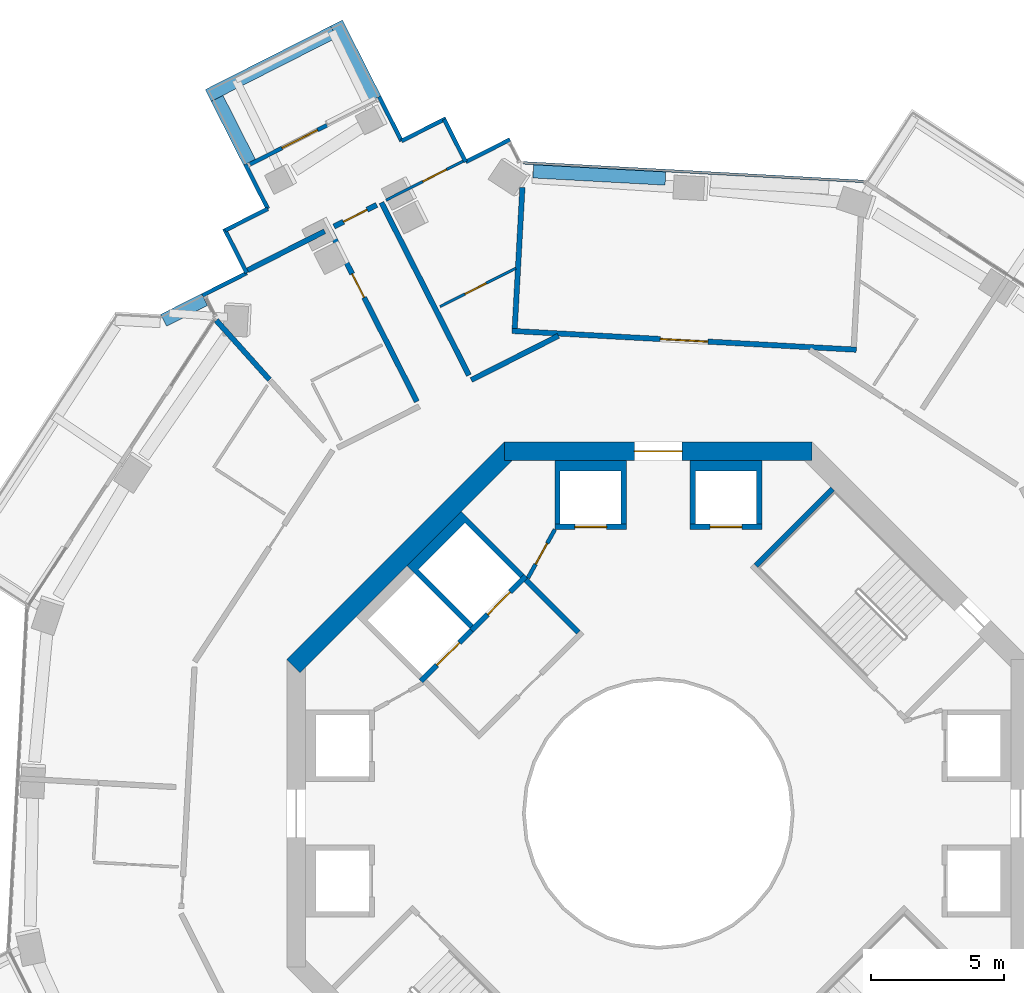
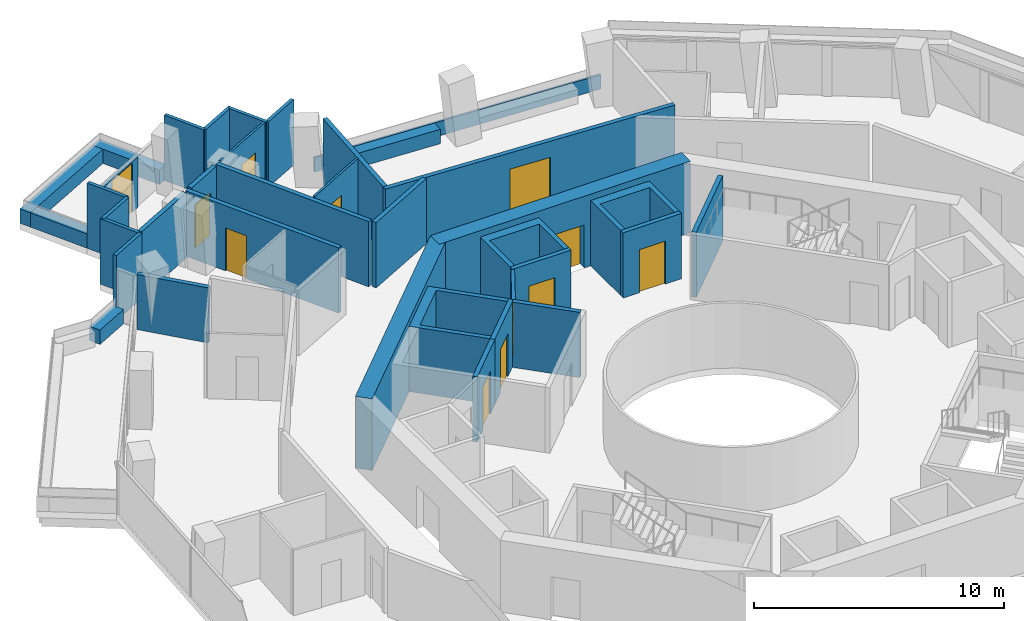
# One storey, part 19 of 23: 37 walls, 12 doors, 12 openings.
"""IFC4 building model written with IfcOpenShell, lengths in metres."""

from ifc_helpers import new_model, si_unit, direction, frame, frame_2d, origin, place, context, subcontext, project, spatial, polyline, rectangle, outline, extrude, material, layer, layer_set, type_object, element, fill, save


model = new_model("IFC4")

# Units and contexts
model_context = context("Model", 3, precision=1e-05, world=origin(), true_north=direction((0.0, 1.0)))
body_context = subcontext(model_context, "Body", "Model", "MODEL_VIEW")
ifc_project = project(units=[si_unit("LENGTHUNIT", "METRE"), si_unit("AREAUNIT", "SQUARE_METRE"), si_unit("VOLUMEUNIT", "CUBIC_METRE"), si_unit("PLANEANGLEUNIT", "RADIAN"), si_unit("MASSUNIT", "GRAM", prefix="KILO")], contexts=[model_context])

# Site, building, storey
site_placement = place(None, origin())
site = spatial("IfcSite", under=ifc_project, at=site_placement, CompositionType="ELEMENT")
building_placement = place(site_placement, origin())
building = spatial("IfcBuilding", under=site, at=building_placement, Name="Verdalira Terraces Hotel", CompositionType="ELEMENT")
storey_placement = place(building_placement, frame((0.0, 0.0, 143.5)))
storey = spatial("IfcBuildingStorey", under=building, at=storey_placement, Name="L34", CompositionType="ELEMENT", Elevation=143.5)

# Walls
ifc_material_1 = material(Name="Concrete C40", Category="concrete")
ifc_layer_1 = layer(ifc_material_1, 0.5)
ifc_layer_set_1 = layer_set([ifc_layer_1], Name="Balcony planter trough with tree")
wall_type_1 = type_object("IfcWallType", Name="Balcony planter trough with tree", PredefinedType="SOLIDWALL", material=ifc_layer_set_1)
wall_1_placement = place(storey_placement, frame((-10.684326, 26.939453, 0.0), z_axis=(0.0, 0.0, 1.0), x_axis=(-0.452121875, 0.89195617, 0.0)))
element("IfcWall", 1, at=wall_1_placement, inside=storey, type_object=wall_type_1, Name="Balcony planter", PredefinedType="SOLIDWALL", context=body_context, shape_type="SweptSolid", body=[
    extrude(rectangle(XDim=3.198975, YDim=0.5, at=frame_2d((1.599609, 0.0))), origin(), (0.0, 0.0, 1.0), 0.699951),
])
wall_2_placement = place(storey_placement, frame((-12.240479, 29.456787, 0.0), z_axis=(0.0, 0.0, 1.0), x_axis=(-0.891963213, -0.452107981, 0.0)))
element("IfcWall", 2, at=wall_2_placement, inside=storey, type_object=wall_type_1, Name="Balcony planter", PredefinedType="SOLIDWALL", context=body_context, shape_type="SweptSolid", body=[
    extrude(rectangle(XDim=5.300049, YDim=0.5, at=frame_2d((2.649902, 0.0))), origin(), (0.0, 0.0, 1.0), 0.699951),
])
wall_3_placement = place(storey_placement, frame((-16.631836, 26.950439, 0.0), z_axis=(0.0, 0.0, 1.0), x_axis=(0.452127947, -0.891953093, 0.0)))
element("IfcWall", 3, at=wall_3_placement, inside=storey, type_object=wall_type_1, Name="Balcony planter", PredefinedType="SOLIDWALL", context=body_context, shape_type="SweptSolid", body=[
    extrude(rectangle(XDim=2.69873, YDim=0.5, at=frame_2d((1.349365, 0.0))), origin(), (0.0, 0.0, 1.0), 0.699951),
])
wall_4_placement = place(storey_placement, frame((-17.105469, 19.366943, 0.0), z_axis=(0.0, 0.0, 1.0), x_axis=(-0.891988003, -0.452059069, 0.0)))
element("IfcWall", 4, at=wall_4_placement, inside=storey, type_object=wall_type_1, Name="Balcony planter", PredefinedType="SOLIDWALL", context=body_context, shape_type="SweptSolid", body=[
    extrude(rectangle(XDim=1.730957, YDim=0.5, at=frame_2d((0.865479, 0.0))), origin(), (0.0, 0.0, 1.0), 0.699951),
])

# Wall, opening, door
ifc_material_2 = material(Name="Moisture-resistant gypsum board partition")
ifc_layer_2 = layer(ifc_material_2, 0.10009765625)
ifc_layer_set_2 = layer_set([ifc_layer_2], Name="Bathroom partition 100 mm")
wall_type_2 = type_object("IfcWallType", Name="Bathroom partition 100 mm", PredefinedType="PARTITIONING", material=ifc_layer_set_2)
wall_5_placement = place(storey_placement, frame((-7.359619, 24.587402, 0.0), z_axis=(0.0, 0.0, 1.0), x_axis=(-0.891966351, -0.45210179, 0.0)))
wall_5 = element("IfcWall", 5, at=wall_5_placement, inside=storey, type_object=wall_type_2, Name="Bathroom partition", PredefinedType="PARTITIONING", context=body_context, shape_type="SweptSolid", body=[
    extrude(rectangle(XDim=3.251953, YDim=0.100098, at=frame_2d((1.625977, 0.0))), origin(), (0.0, 0.0, 1.0), 3.189941),
])
opening_1_placement = place(wall_5_placement, frame((0.699951, 0.0, 0.0)))
opening_1 = element("IfcOpeningElement", 6, at=opening_1_placement, cuts=wall_5, Name="Opening L34-102", PredefinedType="OPENING", context=body_context, shape_type="SweptSolid", body=[
    extrude(rectangle(XDim=1.0, YDim=2.100098, at=frame_2d((0.5, 1.050049))), frame((0.0, 0.060059, 0.0), z_axis=(0.0, -1.0, 0.0), x_axis=(1.0, 0.0, 0.0)), (0.0, 0.0, 1.0), 0.120117),
])
ifc_material_3 = material(Name="Timber door", Category="wood")
door_type_1 = type_object("IfcDoorType", Name="Suite internal door 1000 x 2100", OperationType="NOTDEFINED", PredefinedType="DOOR", material=ifc_material_3)
door_1_placement = place(opening_1_placement, origin())
door_1 = element("IfcDoor", 7, at=door_1_placement, inside=storey, type_object=door_type_1, Name="Suite internal door 3401", OperationType="SINGLE_SWING_LEFT", OverallHeight=2.10009765625, OverallWidth=1.0, PredefinedType="DOOR", context=body_context, shape_type="SweptSolid", body=[
    extrude(rectangle(XDim=1.0, YDim=2.100098, at=frame_2d((0.5, 1.050049))), frame((0.0, 0.024902, 0.0), z_axis=(0.0, -1.0, 0.0), x_axis=(1.0, 0.0, 0.0)), (0.0, 0.0, 1.0), 0.050049),
])
fill(opening_1, door_1)

wall_6_placement = place(storey_placement, frame((-5.372314, 20.549805, 0.0), z_axis=(0.0, 0.0, 1.0), x_axis=(-0.891940995, -0.452151813, 0.0)))
wall_6 = element("IfcWall", 8, at=wall_6_placement, inside=storey, type_object=wall_type_2, Name="Bathroom partition", PredefinedType="PARTITIONING", context=body_context, shape_type="SweptSolid", body=[
    extrude(rectangle(XDim=3.199219, YDim=0.100098, at=frame_2d((1.599609, 0.0))), origin(), (0.0, 0.0, 1.0), 3.189941),
])
opening_2_placement = place(wall_6_placement, frame((1.25, 0.0, 0.0)))
opening_2 = element("IfcOpeningElement", 9, at=opening_2_placement, cuts=wall_6, Name="Opening L34-103", PredefinedType="OPENING", context=body_context, shape_type="SweptSolid", body=[
    extrude(rectangle(XDim=0.899902, YDim=2.100098, at=frame_2d((0.449951, 1.050049))), frame((0.0, 0.060059, 0.0), z_axis=(0.0, -1.0, 0.0), x_axis=(1.0, 0.0, 0.0)), (0.0, 0.0, 1.0), 0.120117),
])
ifc_material_4 = material(Name="Timber door", Category="wood")
door_type_2 = type_object("IfcDoorType", Name="Bathroom door 900 x 2100", OperationType="NOTDEFINED", PredefinedType="DOOR", material=ifc_material_4)
door_2_placement = place(opening_2_placement, origin())
door_2 = element("IfcDoor", 10, at=door_2_placement, inside=storey, type_object=door_type_2, Name="Bathroom door 3401", OperationType="SINGLE_SWING_LEFT", OverallHeight=2.10009765625, OverallWidth=0.89990234375, PredefinedType="DOOR", context=body_context, shape_type="SweptSolid", body=[
    extrude(rectangle(XDim=0.899902, YDim=2.100098, at=frame_2d((0.449951, 1.050049))), frame((0.0, 0.024902, 0.0), z_axis=(0.0, -1.0, 0.0), x_axis=(1.0, 0.0, 0.0)), (0.0, 0.0, 1.0), 0.050049),
])
fill(opening_2, door_2)

# Wall
ifc_material_5 = material(Name="Concrete C50", Category="concrete")
ifc_layer_3 = layer(ifc_material_5, 0.199951171875)
ifc_layer_set_3 = layer_set([ifc_layer_3], Name="Core RC wall 200 C50")
wall_type_3 = type_object("IfcWallType", Name="Core RC wall 200 C50", PredefinedType="SOLIDWALL", material=ifc_layer_set_3)
wall_7_placement = place(storey_placement, origin())
element("IfcWall", 11, at=wall_7_placement, inside=storey, type_object=wall_type_3, Name="L34 shaft wall N1", PredefinedType="SOLIDWALL", context=body_context, shape_type="SweptSolid", body=[
    extrude(outline(polyline([(3.899902, 13.300049), (3.899902, 10.899902), (3.699951, 10.899902), (3.699951, 12.899902), (1.399902, 12.899902), (1.399902, 10.899902), (1.199951, 10.899902), (1.199951, 13.300049), (3.899902, 13.300049)])), origin(), (0.0, 0.0, 1.0), 3.189941),
])

# Wall, opening, door
wall_8_placement = place(storey_placement, frame((1.199951, 10.800049, 0.0), z_axis=(0.0, 0.0, 1.0), x_axis=(1.0, 0.0, 0.0)))
wall_8 = element("IfcWall", 12, at=wall_8_placement, inside=storey, type_object=wall_type_3, Name="L34 shaft front wall N1", PredefinedType="SOLIDWALL", context=body_context, shape_type="SweptSolid", body=[
    extrude(rectangle(XDim=2.699951, YDim=0.199951, at=frame_2d((1.350098, 0.0))), origin(), (0.0, 0.0, 1.0), 3.189941),
])
opening_3_placement = place(wall_8_placement, frame((0.75, 0.0, 0.0)))
opening_3 = element("IfcOpeningElement", 13, at=opening_3_placement, cuts=wall_8, Name="Opening LD-L34-803", PredefinedType="OPENING", context=body_context, shape_type="SweptSolid", body=[
    extrude(rectangle(XDim=1.199951, YDim=2.100098, at=frame_2d((0.600098, 1.050049))), frame((0.0, 0.109863, 0.0), z_axis=(0.0, -1.0, 0.0), x_axis=(1.0, 0.0, 0.0)), (0.0, 0.0, 1.0), 0.219971),
])
ifc_material_6 = material(Name="Stainless steel", Category="steel")
door_type_3 = type_object("IfcDoorType", Name="Landing door 1200 x 2100", OperationType="NOTDEFINED", PredefinedType="DOOR", material=ifc_material_6)
door_3_placement = place(opening_3_placement, origin())
door_3 = element("IfcDoor", 14, at=door_3_placement, inside=storey, type_object=door_type_3, Name="Lift landing door LR3 L34", OperationType="DOUBLE_DOOR_SLIDING", OverallHeight=2.10009765625, OverallWidth=1.199951171875, PredefinedType="DOOR", context=body_context, shape_type="SweptSolid", body=[
    extrude(rectangle(XDim=1.199951, YDim=2.100098, at=frame_2d((0.600098, 1.050049))), frame((0.0, 0.024902, 0.0), z_axis=(0.0, -1.0, 0.0), x_axis=(1.0, 0.0, 0.0)), (0.0, 0.0, 1.0), 0.050049),
])
fill(opening_3, door_3)

# Wall
wall_9_placement = place(storey_placement, origin())
element("IfcWall", 15, at=wall_9_placement, inside=storey, type_object=wall_type_3, Name="L34 shaft wall N2", PredefinedType="SOLIDWALL", context=body_context, shape_type="SweptSolid", body=[
    extrude(outline(polyline([(-3.899902, 10.899902), (-3.899902, 13.300049), (-1.199951, 13.300049), (-1.199951, 10.899902), (-1.399902, 10.899902), (-1.399902, 12.899902), (-3.699951, 12.899902), (-3.699951, 10.899902), (-3.899902, 10.899902)])), origin(), (0.0, 0.0, 1.0), 3.189941),
])

# Wall, opening, door
wall_10_placement = place(storey_placement, frame((-1.199951, 10.800049, 0.0), z_axis=(0.0, 0.0, 1.0), x_axis=(-1.0, 0.0, 0.0)))
wall_10 = element("IfcWall", 16, at=wall_10_placement, inside=storey, type_object=wall_type_3, Name="L34 shaft front wall N2", PredefinedType="SOLIDWALL", context=body_context, shape_type="SweptSolid", body=[
    extrude(rectangle(XDim=2.699951, YDim=0.199951, at=frame_2d((1.350098, 0.0))), origin(), (0.0, 0.0, 1.0), 3.189941),
])
opening_4_placement = place(wall_10_placement, frame((0.75, 0.0, 0.0)))
opening_4 = element("IfcOpeningElement", 17, at=opening_4_placement, cuts=wall_10, Name="Opening LD-L34-804", PredefinedType="OPENING", context=body_context, shape_type="SweptSolid", body=[
    extrude(rectangle(XDim=1.199951, YDim=2.100098, at=frame_2d((0.600098, 1.050049))), frame((0.0, 0.109863, 0.0), z_axis=(0.0, -1.0, 0.0), x_axis=(1.0, 0.0, 0.0)), (0.0, 0.0, 1.0), 0.219971),
])
door_4_placement = place(opening_4_placement, origin())
door_4 = element("IfcDoor", 18, at=door_4_placement, inside=storey, type_object=door_type_3, Name="Lift landing door LR4 L34", OperationType="DOUBLE_DOOR_SLIDING", OverallHeight=2.10009765625, OverallWidth=1.199951171875, PredefinedType="DOOR", context=body_context, shape_type="SweptSolid", body=[
    extrude(rectangle(XDim=1.199951, YDim=2.100098, at=frame_2d((0.600098, 1.050049))), frame((0.0, 0.024902, 0.0), z_axis=(0.0, -1.0, 0.0), x_axis=(1.0, 0.0, 0.0)), (0.0, 0.0, 1.0), 0.050049),
])
fill(opening_4, door_4)

# Wall
wall_11_placement = place(storey_placement, origin())
element("IfcWall", 19, at=wall_11_placement, inside=storey, type_object=wall_type_3, Name="L34 shaft wall F1", PredefinedType="SOLIDWALL", context=body_context, shape_type="SweptSolid", body=[
    extrude(outline(polyline([(-9.475098, 9.33374), (-7.424561, 11.384521), (-5.055908, 9.015625), (-5.197266, 8.874268), (-7.283203, 10.960205), (-9.051025, 9.192383), (-6.965088, 7.106445), (-7.106445, 6.965088), (-9.475098, 9.33374)])), origin(), (0.0, 0.0, 1.0), 3.189941),
])

# Wall, opening, door
wall_12_placement = place(storey_placement, frame((-4.985107, 8.944824, 0.0), z_axis=(0.0, 0.0, 1.0), x_axis=(-0.707106781, -0.707106781, 0.0)))
wall_12 = element("IfcWall", 20, at=wall_12_placement, inside=storey, type_object=wall_type_3, Name="L34 shaft front wall F1", PredefinedType="SOLIDWALL", context=body_context, shape_type="SweptSolid", body=[
    extrude(rectangle(XDim=2.899902, YDim=0.199951, at=frame_2d((1.449951, 0.0))), origin(), (0.0, 0.0, 1.0), 3.189941),
])
opening_5_placement = place(wall_12_placement, frame((0.850098, 0.0, 0.0)))
opening_5 = element("IfcOpeningElement", 21, at=opening_5_placement, cuts=wall_12, Name="Opening LD-L34-807", PredefinedType="OPENING", context=body_context, shape_type="SweptSolid", body=[
    extrude(rectangle(XDim=1.199951, YDim=2.100098, at=frame_2d((0.600098, 1.050049))), frame((0.0, 0.109863, 0.0), z_axis=(0.0, -1.0, 0.0), x_axis=(1.0, 0.0, 0.0)), (0.0, 0.0, 1.0), 0.219971),
])
door_5_placement = place(opening_5_placement, origin())
door_5 = element("IfcDoor", 22, at=door_5_placement, inside=storey, type_object=door_type_3, Name="Lift landing door LF11 L34", OperationType="DOUBLE_DOOR_SLIDING", OverallHeight=2.10009765625, OverallWidth=1.199951171875, PredefinedType="DOOR", context=body_context, shape_type="SweptSolid", body=[
    extrude(rectangle(XDim=1.199951, YDim=2.100098, at=frame_2d((0.600098, 1.050049))), frame((0.0, 0.024902, 0.0), z_axis=(0.0, -1.0, 0.0), x_axis=(1.0, 0.0, 0.0)), (0.0, 0.0, 1.0), 0.050049),
])
fill(opening_5, door_5)

wall_13_placement = place(storey_placement, frame((-7.035645, 6.894287, 0.0), z_axis=(0.0, 0.0, 1.0), x_axis=(-0.707106781, -0.707106781, 0.0)))
wall_13 = element("IfcWall", 23, at=wall_13_placement, inside=storey, type_object=wall_type_3, Name="L34 shaft front wall F2", PredefinedType="SOLIDWALL", context=body_context, shape_type="SweptSolid", body=[
    extrude(rectangle(XDim=2.699951, YDim=0.199951, at=frame_2d((1.350098, 0.0))), origin(), (0.0, 0.0, 1.0), 3.189941),
])
opening_6_placement = place(wall_13_placement, frame((0.649902, 0.0, 0.0)))
opening_6 = element("IfcOpeningElement", 24, at=opening_6_placement, cuts=wall_13, Name="Opening LD-L34-808", PredefinedType="OPENING", context=body_context, shape_type="SweptSolid", body=[
    extrude(rectangle(XDim=1.199951, YDim=2.100098, at=frame_2d((0.600098, 1.050049))), frame((0.0, 0.109863, 0.0), z_axis=(0.0, -1.0, 0.0), x_axis=(1.0, 0.0, 0.0)), (0.0, 0.0, 1.0), 0.219971),
])
door_6_placement = place(opening_6_placement, origin())
door_6 = element("IfcDoor", 25, at=door_6_placement, inside=storey, type_object=door_type_3, Name="Lift landing door LF12 L34", OperationType="DOUBLE_DOOR_SLIDING", OverallHeight=2.10009765625, OverallWidth=1.199951171875, PredefinedType="DOOR", context=body_context, shape_type="SweptSolid", body=[
    extrude(rectangle(XDim=1.199951, YDim=2.100098, at=frame_2d((0.600098, 1.050049))), frame((0.0, 0.024902, 0.0), z_axis=(0.0, -1.0, 0.0), x_axis=(1.0, 0.0, 0.0)), (0.0, 0.0, 1.0), 0.050049),
])
fill(opening_6, door_6)

# Walls
wall_14_placement = place(storey_placement, frame((3.677002, 9.33374, 0.0), z_axis=(0.0, 0.0, 1.0), x_axis=(0.707106781, 0.707106781, 0.0)))
element("IfcWall", 26, at=wall_14_placement, inside=storey, type_object=wall_type_3, Name="L34 stair ST1 end wall 2", PredefinedType="SOLIDWALL", context=body_context, shape_type="SweptSolid", body=[
    extrude(rectangle(XDim=4.100098, YDim=0.199951, at=frame_2d((2.050049, 0.0))), origin(), (0.0, 0.0, 1.0), 3.189941),
])
wall_15_placement = place(storey_placement, frame((-3.005127, 6.823486, 0.0), z_axis=(0.0, 0.0, 1.0), x_axis=(-0.707106781, 0.707106781, 0.0)))
element("IfcWall", 27, at=wall_15_placement, inside=storey, type_object=wall_type_3, Name="L34 fire lobby wall", PredefinedType="SOLIDWALL", context=body_context, shape_type="SweptSolid", body=[
    extrude(rectangle(XDim=2.800049, YDim=0.199951, at=frame_2d((1.399902, 0.0))), origin(), (0.0, 0.0, 1.0), 3.189941),
])

# Wall, opening, door
ifc_material_7 = material(Name="Gypsum board partition")
ifc_layer_4 = layer(ifc_material_7, 0.14990234375)
ifc_layer_set_4 = layer_set([ifc_layer_4], Name="Core partition 150 mm")
wall_type_4 = type_object("IfcWallType", Name="Core partition 150 mm", PredefinedType="PARTITIONING", material=ifc_layer_set_4)
wall_16_placement = place(storey_placement, frame((-3.899902, 10.699951, 0.0), z_axis=(0.0, 0.0, 1.0), x_axis=(-0.485692555, -0.874129705, 0.0)))
wall_16 = element("IfcWall", 28, at=wall_16_placement, inside=storey, type_object=wall_type_4, Name="Room partition L34", PredefinedType="PARTITIONING", context=body_context, shape_type="SweptSolid", body=[
    extrude(rectangle(XDim=2.088623, YDim=0.149902, at=frame_2d((1.044434, 0.0))), origin(), (0.0, 0.0, 1.0), 3.189941),
])
opening_7_placement = place(wall_16_placement, frame((0.594238, 0.0, 0.0)))
opening_7 = element("IfcOpeningElement", 29, at=opening_7_placement, cuts=wall_16, Name="Opening L34-821", PredefinedType="OPENING", context=body_context, shape_type="SweptSolid", body=[
    extrude(rectangle(XDim=0.899902, YDim=2.100098, at=frame_2d((0.449951, 1.050049))), frame((0.0, 0.084961, 0.0), z_axis=(0.0, -1.0, 0.0), x_axis=(1.0, 0.0, 0.0)), (0.0, 0.0, 1.0), 0.169922),
])
ifc_material_8 = material(Name="Steel fire door", Category="steel")
door_type_4 = type_object("IfcDoorType", Name="Core room door 900 x 2100", OperationType="NOTDEFINED", PredefinedType="DOOR", material=ifc_material_8)
door_7_placement = place(opening_7_placement, origin())
door_7 = element("IfcDoor", 30, at=door_7_placement, inside=storey, type_object=door_type_4, Name="Door L34 room2", OperationType="SINGLE_SWING_LEFT", OverallHeight=2.10009765625, OverallWidth=0.89990234375, PredefinedType="DOOR", context=body_context, shape_type="SweptSolid", body=[
    extrude(rectangle(XDim=0.899902, YDim=2.100098, at=frame_2d((0.449951, 1.050049))), frame((0.0, 0.024902, 0.0), z_axis=(0.0, -1.0, 0.0), x_axis=(1.0, 0.0, 0.0)), (0.0, 0.0, 1.0), 0.050049),
])
fill(opening_7, door_7)

ifc_material_9 = material(Name="Concrete C60", Category="concrete")
ifc_layer_5 = layer(ifc_material_9, 0.699951171875)
ifc_layer_set_5 = layer_set([ifc_layer_5], Name="Core wall 700 C60")
wall_type_5 = type_object("IfcWallType", Name="Core wall 700 C60", PredefinedType="SHEAR", material=ifc_layer_set_5)
wall_17_placement = place(storey_placement, frame((5.799072, 13.649902, 0.0), z_axis=(0.0, 0.0, 1.0), x_axis=(-1.0, 0.0, 0.0)))
wall_17 = element("IfcWall", 31, at=wall_17_placement, inside=storey, type_object=wall_type_5, Name="Core wall CW-L34-3", PredefinedType="SHEAR", context=body_context, shape_type="SweptSolid", body=[
    extrude(rectangle(XDim=11.598145, YDim=0.699951, at=frame_2d((5.799072, 0.0))), origin(), (0.0, 0.0, 1.0), 3.5),
])
opening_8_placement = place(wall_17_placement, frame((4.898926, 0.0, 0.0)))
opening_8 = element("IfcOpeningElement", 32, at=opening_8_placement, cuts=wall_17, Name="Opening L34-813", PredefinedType="OPENING", context=body_context, shape_type="SweptSolid", body=[
    extrude(rectangle(XDim=1.800049, YDim=2.100098, at=frame_2d((0.899902, 1.050049))), frame((0.0, 0.359863, 0.0), z_axis=(0.0, -1.0, 0.0), x_axis=(1.0, 0.0, 0.0)), (0.0, 0.0, 1.0), 0.719971),
])
ifc_material_10 = material(Name="Steel fire door", Category="steel")
door_type_5 = type_object("IfcDoorType", Name="Core entry door pair 1800 x 2100", OperationType="NOTDEFINED", PredefinedType="DOOR", material=ifc_material_10)
door_8_placement = place(opening_8_placement, origin())
door_8 = element("IfcDoor", 33, at=door_8_placement, inside=storey, type_object=door_type_5, Name="Core entry door L34 2", OperationType="DOUBLE_DOOR_SINGLE_SWING", OverallHeight=2.10009765625, OverallWidth=1.800048828125, PredefinedType="DOOR", context=body_context, shape_type="SweptSolid", body=[
    extrude(rectangle(XDim=1.800049, YDim=2.100098, at=frame_2d((0.899902, 1.050049))), frame((0.0, 0.024902, 0.0), z_axis=(0.0, -1.0, 0.0), x_axis=(1.0, 0.0, 0.0)), (0.0, 0.0, 1.0), 0.050049),
])
fill(opening_8, door_8)

# Walls
wall_18_placement = place(storey_placement, frame((-5.551514, 13.752441, 0.0), z_axis=(0.0, 0.0, 1.0), x_axis=(-0.707106781, -0.707106781, 0.0)))
element("IfcWall", 34, at=wall_18_placement, inside=storey, type_object=wall_type_5, Name="Core wall CW-L34-4", PredefinedType="SHEAR", context=body_context, shape_type="SweptSolid", body=[
    extrude(rectangle(XDim=11.5979, YDim=0.699951, at=frame_2d((5.798828, 0.0))), origin(), (0.0, 0.0, 1.0), 3.5),
])
ifc_material_11 = material(Name="Fire-rated gypsum board wall")
ifc_layer_6 = layer(ifc_material_11, 0.199951171875)
ifc_layer_set_6 = layer_set([ifc_layer_6], Name="Demising wall 200 mm")
wall_type_6 = type_object("IfcWallType", Name="Demising wall 200 mm", PredefinedType="SOLIDWALL", material=ifc_layer_set_6)
wall_19_placement = place(storey_placement, frame((-12.577637, 21.942383, 0.0), z_axis=(0.0, 0.0, 1.0), x_axis=(-0.891966351, -0.45210179, 0.0)))
element("IfcWall", 35, at=wall_19_placement, inside=storey, type_object=wall_type_6, Name="Demising wall", PredefinedType="SOLIDWALL", context=body_context, shape_type="SweptSolid", body=[
    extrude(rectangle(XDim=3.251953, YDim=0.199951, at=frame_2d((1.625977, 0.0))), origin(), (0.0, 0.0, 1.0), 3.189941),
])
ifc_material_12 = material(Name="Fire-rated gypsum board wall")
ifc_layer_7 = layer(ifc_material_12, 0.199951171875)
ifc_layer_set_7 = layer_set([ifc_layer_7], Name="Demising wall 200 mm to beam soffit")
wall_type_7 = type_object("IfcWallType", Name="Demising wall 200 mm to beam soffit", PredefinedType="SOLIDWALL", material=ifc_layer_set_7)
wall_20_placement = place(storey_placement, frame((-14.655029, 16.344727, 0.0), z_axis=(0.0, 0.0, 1.0), x_axis=(-0.667548115, 0.744566662, 0.0)))
element("IfcWall", 36, at=wall_20_placement, inside=storey, type_object=wall_type_7, Name="Demising wall", PredefinedType="SOLIDWALL", context=body_context, shape_type="SweptSolid", body=[
    extrude(rectangle(XDim=3.011475, YDim=0.199951, at=frame_2d((1.505859, 0.0))), origin(), (0.0, 0.0, 1.0), 2.689941),
])

# Wall, opening, door
ifc_material_13 = material(Name="Fire-rated gypsum board wall")
ifc_layer_8 = layer(ifc_material_13, 0.199951171875)
ifc_layer_set_8 = layer_set([ifc_layer_8], Name="Guest corridor wall 200 mm")
wall_type_8 = type_object("IfcWallType", Name="Guest corridor wall 200 mm", PredefinedType="SOLIDWALL", material=ifc_layer_set_8)
wall_21_placement = place(storey_placement, frame((-12.224365, 22.121582, 0.0), z_axis=(0.0, 0.0, 1.0), x_axis=(0.892005218, 0.452025099, 0.0)))
wall_21 = element("IfcWall", 37, at=wall_21_placement, inside=storey, type_object=wall_type_8, Name="Guest corridor wall", PredefinedType="SOLIDWALL", context=body_context, shape_type="SweptSolid", body=[
    extrude(rectangle(XDim=1.803955, YDim=0.199951, at=frame_2d((0.901855, 0.0))), origin(), (0.0, 0.0, 1.0), 3.189941),
])
opening_9_placement = place(wall_21_placement, frame((0.399902, 0.0, 0.0)))
opening_9 = element("IfcOpeningElement", 38, at=opening_9_placement, cuts=wall_21, Name="Opening L34-101", PredefinedType="OPENING", context=body_context, shape_type="SweptSolid", body=[
    extrude(rectangle(XDim=1.0, YDim=2.100098, at=frame_2d((0.5, 1.050049))), frame((0.0, 0.109863, 0.0), z_axis=(0.0, -1.0, 0.0), x_axis=(1.0, 0.0, 0.0)), (0.0, 0.0, 1.0), 0.219971),
])
ifc_material_14 = material(Name="Timber fire door", Category="wood")
door_type_6 = type_object("IfcDoorType", Name="Guest entry door 1000 x 2100", OperationType="NOTDEFINED", PredefinedType="DOOR", material=ifc_material_14)
door_9_placement = place(opening_9_placement, origin())
door_9 = element("IfcDoor", 39, at=door_9_placement, inside=storey, type_object=door_type_6, Name="Guest entry door 3401", OperationType="SINGLE_SWING_LEFT", OverallHeight=2.10009765625, OverallWidth=1.0, PredefinedType="DOOR", context=body_context, shape_type="SweptSolid", body=[
    extrude(rectangle(XDim=1.0, YDim=2.100098, at=frame_2d((0.5, 1.050049))), frame((0.0, 0.024902, 0.0), z_axis=(0.0, -1.0, 0.0), x_axis=(1.0, 0.0, 0.0)), (0.0, 0.0, 1.0), 0.050049),
])
fill(opening_9, door_9)

wall_22_placement = place(storey_placement, frame((-9.100586, 15.520752, 0.0), z_axis=(0.0, 0.0, 1.0), x_axis=(-0.452103174, 0.89196565, 0.0)))
wall_22 = element("IfcWall", 40, at=wall_22_placement, inside=storey, type_object=wall_type_8, Name="Guest corridor wall", PredefinedType="SOLIDWALL", context=body_context, shape_type="SweptSolid", body=[
    extrude(rectangle(XDim=7.299805, YDim=0.199951, at=frame_2d((3.649902, 0.0))), origin(), (0.0, 0.0, 1.0), 3.189941),
])
opening_10_placement = place(wall_22_placement, frame((4.399902, 0.0, 0.0)))
opening_10 = element("IfcOpeningElement", 41, at=opening_10_placement, cuts=wall_22, Name="Opening L34-104", PredefinedType="OPENING", context=body_context, shape_type="SweptSolid", body=[
    extrude(rectangle(XDim=1.0, YDim=2.100098, at=frame_2d((0.5, 1.050049))), frame((0.0, 0.109863, 0.0), z_axis=(0.0, -1.0, 0.0), x_axis=(1.0, 0.0, 0.0)), (0.0, 0.0, 1.0), 0.219971),
])
door_10_placement = place(opening_10_placement, origin())
door_10 = element("IfcDoor", 42, at=door_10_placement, inside=storey, type_object=door_type_6, Name="Guest entry door 3402", OperationType="SINGLE_SWING_RIGHT", OverallHeight=2.10009765625, OverallWidth=1.0, PredefinedType="DOOR", context=body_context, shape_type="SweptSolid", body=[
    extrude(rectangle(XDim=1.0, YDim=2.100098, at=frame_2d((0.5, 1.050049))), frame((0.0, 0.024902, 0.0), z_axis=(0.0, -1.0, 0.0), x_axis=(1.0, 0.0, 0.0)), (0.0, 0.0, 1.0), 0.050049),
])
fill(opening_10, door_10)

# Walls
wall_23_placement = place(storey_placement, frame((-7.138184, 16.515381, 0.0), z_axis=(0.0, 0.0, 1.0), x_axis=(-0.452129782, 0.891952163, 0.0)))
element("IfcWall", 43, at=wall_23_placement, inside=storey, type_object=wall_type_8, Name="Guest corridor wall", PredefinedType="SOLIDWALL", context=body_context, shape_type="SweptSolid", body=[
    extrude(rectangle(XDim=7.300049, YDim=0.199951, at=frame_2d((3.649902, 0.0))), origin(), (0.0, 0.0, 1.0), 3.189941),
])
wall_24_placement = place(storey_placement, frame((-3.766846, 18.0, 0.0), z_axis=(0.0, 0.0, 1.0), x_axis=(-0.891957984, -0.452118297, 0.0)))
element("IfcWall", 44, at=wall_24_placement, inside=storey, type_object=wall_type_8, Name="Guest corridor wall", PredefinedType="SOLIDWALL", context=body_context, shape_type="SweptSolid", body=[
    extrude(rectangle(XDim=3.678467, YDim=0.199951, at=frame_2d((1.839355, 0.0))), origin(), (0.0, 0.0, 1.0), 3.189941),
])

# Wall, opening, door
ifc_material_15 = material(Name="Terracotta cladding", Category="masonry")
ifc_layer_9 = layer(ifc_material_15, 0.199951171875)
ifc_layer_set_9 = layer_set([ifc_layer_9], Name="Loggia back wall 200")
wall_type_9 = type_object("IfcWallType", Name="Loggia back wall 200", PredefinedType="SOLIDWALL", material=ifc_layer_set_9)
wall_25_placement = place(storey_placement, frame((-5.518311, 18.185547, 0.0), z_axis=(0.0, 0.0, 1.0), x_axis=(0.99851788, -0.054424661, 0.0)))
wall_25 = element("IfcWall", 45, at=wall_25_placement, inside=storey, type_object=wall_type_9, Name="Loggia back wall", PredefinedType="SOLIDWALL", context=body_context, shape_type="SweptSolid", body=[
    extrude(rectangle(XDim=13.0, YDim=0.199951, at=frame_2d((6.5, 0.0))), origin(), (0.0, 0.0, 1.0), 3.189941),
])
opening_11_placement = place(wall_25_placement, frame((5.600098, 0.0, 0.0)))
opening_11 = element("IfcOpeningElement", 46, at=opening_11_placement, cuts=wall_25, Name="Opening L34-L01", PredefinedType="OPENING", context=body_context, shape_type="SweptSolid", body=[
    extrude(rectangle(XDim=1.800049, YDim=2.399902, at=frame_2d((0.899902, 1.199951))), frame((0.0, 0.109863, 0.0), z_axis=(0.0, -1.0, 0.0), x_axis=(1.0, 0.0, 0.0)), (0.0, 0.0, 1.0), 0.219971),
])
ifc_material_16 = material(Name="Clear glass", Category="glass")
door_type_7 = type_object("IfcDoorType", Name="Garden double door 1800x2400", OperationType="NOTDEFINED", PredefinedType="DOOR", material=ifc_material_16)
door_11_placement = place(opening_11_placement, origin())
door_11 = element("IfcDoor", 47, at=door_11_placement, inside=storey, type_object=door_type_7, Name="Loggia double door", OperationType="DOUBLE_DOOR_SINGLE_SWING", OverallHeight=2.39990234375, OverallWidth=1.800048828125, PredefinedType="DOOR", context=body_context, shape_type="SweptSolid", body=[
    extrude(rectangle(XDim=1.800049, YDim=2.399902, at=frame_2d((0.899902, 1.199951))), frame((0.0, 0.024902, 0.0), z_axis=(0.0, -1.0, 0.0), x_axis=(1.0, 0.0, 0.0)), (0.0, 0.0, 1.0), 0.050049),
])
fill(opening_11, door_11)

# Walls
wall_26_placement = place(storey_placement, frame((-5.123291, 23.595459, 0.0), z_axis=(0.0, 0.0, 1.0), x_axis=(-0.05443872, -0.998517113, 0.0)))
element("IfcWall", 48, at=wall_26_placement, inside=storey, type_object=wall_type_9, Name="Loggia side wall", PredefinedType="SOLIDWALL", context=body_context, shape_type="SweptSolid", body=[
    extrude(rectangle(XDim=5.323242, YDim=0.199951, at=frame_2d((2.661621, 0.0))), origin(), (0.0, 0.0, 1.0), 3.189941),
])
ifc_material_17 = material(Name="Concrete C40", Category="concrete")
ifc_layer_10 = layer(ifc_material_17, 0.5)
ifc_layer_set_10 = layer_set([ifc_layer_10], Name="Loggia planter trough with tree")
wall_type_10 = type_object("IfcWallType", Name="Loggia planter trough with tree", PredefinedType="SOLIDWALL", material=ifc_layer_set_10)
wall_27_placement = place(storey_placement, frame((0.267334, 23.929199, 0.0), z_axis=(0.0, 0.0, 1.0), x_axis=(-0.998517643, 0.054429001, 0.0)))
element("IfcWall", 49, at=wall_27_placement, inside=storey, type_object=wall_type_10, Name="Loggia planter", PredefinedType="SOLIDWALL", context=body_context, shape_type="SweptSolid", body=[
    extrude(rectangle(XDim=4.987793, YDim=0.5, at=frame_2d((2.493896, 0.0))), origin(), (0.0, 0.0, 1.0), 0.699951),
])
ifc_material_18 = material(Name="Concrete C40", Category="concrete")
ifc_layer_11 = layer(ifc_material_18, 0.10009765625)
ifc_layer_set_11 = layer_set([ifc_layer_11], Name="Loggia upstand 100")
wall_type_11 = type_object("IfcWallType", Name="Loggia upstand 100", PredefinedType="SOLIDWALL", material=ifc_layer_set_11)
wall_28_placement = place(storey_placement, frame((7.728027, 23.822998, 0.0), z_axis=(0.0, 0.0, 1.0), x_axis=(-0.998517155, 0.054437952, 0.0)))
element("IfcWall", 50, at=wall_28_placement, inside=storey, type_object=wall_type_11, Name="Loggia upstand", PredefinedType="SOLIDWALL", context=body_context, shape_type="SweptSolid", body=[
    extrude(rectangle(XDim=12.839844, YDim=0.100098, at=frame_2d((6.419922, 0.0))), origin(), (0.0, 0.0, 1.0), 0.699951),
])
ifc_material_19 = material(Name="Terracotta cladding", Category="masonry")
ifc_layer_12 = layer(ifc_material_19, 0.14990234375)
ifc_layer_set_12 = layer_set([ifc_layer_12], Name="Terracotta clad wall 150")
wall_type_12 = type_object("IfcWallType", Name="Terracotta clad wall 150", PredefinedType="SOLIDWALL", material=ifc_layer_set_12)
wall_29_placement = place(storey_placement, frame((-5.588379, 25.401123, 0.0), z_axis=(0.0, 0.0, 1.0), x_axis=(-0.891965768, -0.452102941, 0.0)))
element("IfcWall", 51, at=wall_29_placement, inside=storey, type_object=wall_type_12, Name="Terracotta cladding wall", PredefinedType="SOLIDWALL", context=body_context, shape_type="SweptSolid", body=[
    extrude(rectangle(XDim=1.875, YDim=0.149902, at=frame_2d((0.9375, 0.0))), origin(), (0.0, 0.0, 1.0), 3.189941),
])
wall_30_placement = place(storey_placement, frame((-7.260742, 24.553467, 0.0), z_axis=(0.0, 0.0, 1.0), x_axis=(-0.452089991, 0.891972331, 0.0)))
element("IfcWall", 52, at=wall_30_placement, inside=storey, type_object=wall_type_12, Name="Terracotta cladding wall", PredefinedType="SOLIDWALL", context=body_context, shape_type="SweptSolid", body=[
    extrude(rectangle(XDim=1.799805, YDim=0.149902, at=frame_2d((0.899902, 0.0))), origin(), (0.0, 0.0, 1.0), 3.189941),
])
for number, where, z_axis, x_axis, name in (
    (53, (-8.007568, 26.192871, 0.0), (0.0, 0.0, 1.0), (-0.891965768, -0.452102941, 0.0), "Terracotta cladding wall"),
    (54, (-9.679932, 25.345215, 0.0), (0.0, 0.0, 1.0), (-0.45220653, 0.891913255, 0.0), "Terracotta cladding wall"),
    (55, (-15.567383, 24.463135, 0.0), (0.0, 0.0, 1.0), (0.45220653, -0.891913255, 0.0), "Terracotta cladding wall"),
):
    element("IfcWall", number, at=place(storey_placement, frame(where, z_axis=z_axis, x_axis=x_axis)), inside=storey, type_object=wall_type_12, Name=name, PredefinedType="SOLIDWALL", context=body_context, shape_type="SweptSolid", body=[
        extrude(rectangle(XDim=1.875, YDim=0.149902, at=frame_2d((0.9375, 0.0))), origin(), (0.0, 0.0, 1.0), 3.189941),
    ])
wall_31_placement = place(storey_placement, frame((-14.719482, 22.790771, 0.0), z_axis=(0.0, 0.0, 1.0), x_axis=(-0.89194536, -0.452143201, 0.0)))
element("IfcWall", 56, at=wall_31_placement, inside=storey, type_object=wall_type_12, Name="Terracotta cladding wall", PredefinedType="SOLIDWALL", context=body_context, shape_type="SweptSolid", body=[
    extrude(rectangle(XDim=1.800293, YDim=0.149902, at=frame_2d((0.900146, 0.0))), origin(), (0.0, 0.0, 1.0), 3.189941),
])
for number, where, z_axis, x_axis, name in (
    (57, (-16.358887, 22.043701, 0.0), (0.0, 0.0, 1.0), (0.452102941, -0.891965768, 0.0), "Terracotta cladding wall"),
    (58, (-15.51123, 20.371338, 0.0), (0.0, 0.0, 1.0), (-0.891965768, -0.452102941, 0.0), "Terracotta cladding wall"),
):
    element("IfcWall", number, at=place(storey_placement, frame(where, z_axis=z_axis, x_axis=x_axis)), inside=storey, type_object=wall_type_12, Name=name, PredefinedType="SOLIDWALL", context=body_context, shape_type="SweptSolid", body=[
        extrude(rectangle(XDim=1.875, YDim=0.149902, at=frame_2d((0.9375, 0.0))), origin(), (0.0, 0.0, 1.0), 3.189941),
    ])

# Wall, opening, door
ifc_material_20 = material(Name="Terracotta cladding", Category="masonry")
ifc_layer_13 = layer(ifc_material_20, 0.14990234375)
ifc_layer_set_13 = layer_set([ifc_layer_13], Name="Terracotta door pier 150")
wall_type_13 = type_object("IfcWallType", Name="Terracotta door pier 150", PredefinedType="SOLIDWALL", material=ifc_layer_set_13)
wall_32_placement = place(storey_placement, frame((-12.487305, 25.940186, 0.0), z_axis=(0.0, 0.0, 1.0), x_axis=(-0.891957258, -0.452119729, 0.0)))
wall_32 = element("IfcWall", 59, at=wall_32_placement, inside=storey, type_object=wall_type_13, Name="Terracotta door pier", PredefinedType="SOLIDWALL", context=body_context, shape_type="SweptSolid", body=[
    extrude(rectangle(XDim=3.26001, YDim=0.149902, at=frame_2d((1.629883, 0.0))), origin(), (0.0, 0.0, 1.0), 2.475098),
])
opening_12_placement = place(wall_32_placement, frame((0.399902, 0.0, 0.0)))
opening_12 = element("IfcOpeningElement", 60, at=opening_12_placement, cuts=wall_32, Name="Opening L34-B01", PredefinedType="OPENING", context=body_context, shape_type="SweptSolid", body=[
    extrude(rectangle(XDim=1.5, YDim=2.399902, at=frame_2d((0.75, 1.199951))), frame((0.0, 0.084961, 0.0), z_axis=(0.0, -1.0, 0.0), x_axis=(1.0, 0.0, 0.0)), (0.0, 0.0, 1.0), 0.169922),
])
ifc_material_21 = material(Name="Clear glass", Category="glass")
door_type_8 = type_object("IfcDoorType", Name="Balcony sliding door 1500x2400", OperationType="NOTDEFINED", PredefinedType="DOOR", material=ifc_material_21)
door_12_placement = place(opening_12_placement, origin())
door_12 = element("IfcDoor", 61, at=door_12_placement, inside=storey, type_object=door_type_8, Name="Balcony sliding door", OperationType="SLIDING_TO_RIGHT", OverallHeight=2.39990234375, OverallWidth=1.5, PredefinedType="DOOR", context=body_context, shape_type="SweptSolid", body=[
    extrude(rectangle(XDim=1.5, YDim=2.399902, at=frame_2d((0.75, 1.199951))), frame((0.0, 0.024902, 0.0), z_axis=(0.0, -1.0, 0.0), x_axis=(1.0, 0.0, 0.0)), (0.0, 0.0, 1.0), 0.050049),
])
fill(opening_12, door_12)

save(model, "model.ifc")
